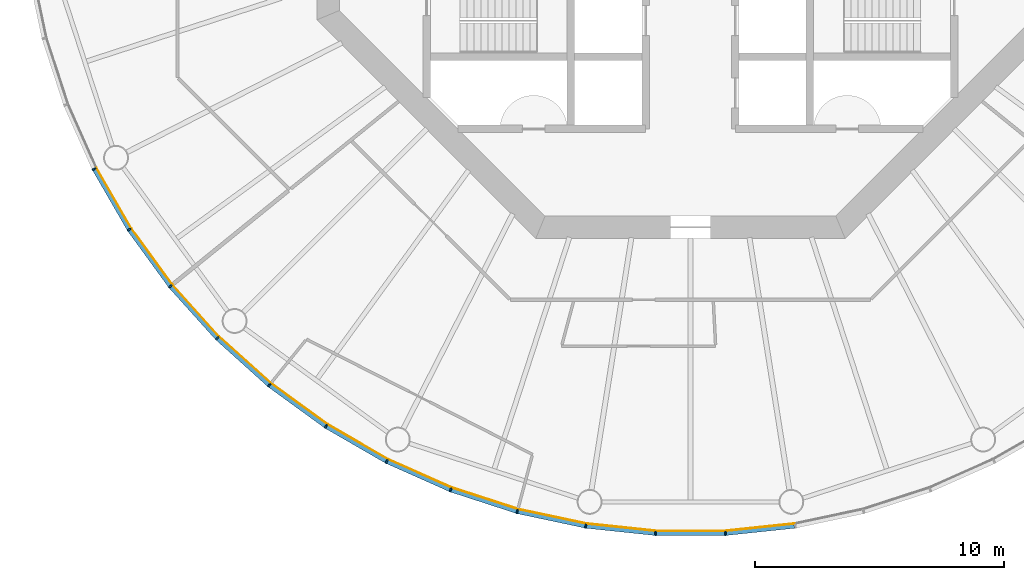
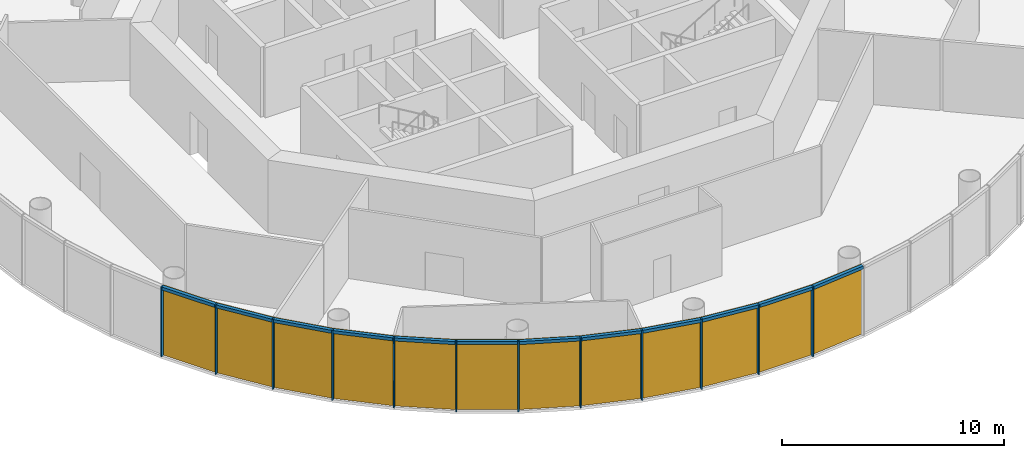
# One storey, part 6 of 12: 24 members, 4 curtain walls.
"""IFC4 building model written with IfcOpenShell, lengths in metres."""

from ifc_helpers import new_model, si_unit, direction, frame, origin, origin_2d, place, context, subcontext, project, spatial, polyline, rectangle, outline, extrude, material, layer, layer_set, material_profile, profile_set, type_object, element, aggregate, save


model = new_model("IFC4")

# Units and contexts
model_context = context("Model", 3, precision=1e-05, world=origin(), true_north=direction((0.0, 1.0)))
body_context = subcontext(model_context, "Body", "Model", "MODEL_VIEW")
ifc_project = project(units=[si_unit("LENGTHUNIT", "METRE"), si_unit("AREAUNIT", "SQUARE_METRE"), si_unit("VOLUMEUNIT", "CUBIC_METRE"), si_unit("PLANEANGLEUNIT", "RADIAN"), si_unit("MASSUNIT", "GRAM", prefix="KILO")], contexts=[model_context])

# Member
ifc_material_1 = material(Name="Anodised aluminium", Category="aluminium")
ifc_material_profile_1 = material_profile(ifc_material_1, rectangle(XDim=0.06005859375, YDim=0.169921875, at=origin_2d()), Name="Mullion 60 x 170 mm anodised aluminium")
ifc_profile_set_1 = profile_set([ifc_material_profile_1], Name="Anodised aluminium")
member_type_1 = type_object("IfcMemberType", Name="Mullion 60 x 170 mm anodised aluminium", PredefinedType="MULLION", material=ifc_profile_set_1)
site_placement = place(None, origin())
building_placement = place(site_placement, origin())
storey_placement = place(building_placement, frame((0.0, 0.0, 242.0)))
member_1_placement = place(storey_placement, frame((66.04541015625, 67.79443359375, 0.0), z_axis=(0.0, 0.0, 1.0), x_axis=(0.45399049974, -0.891006524188, 0.0)))
member_1 = element("IfcMember", 1, at=member_1_placement, type_object=member_type_1, Name="MULLION L55-33", PredefinedType="MULLION", context=body_context, shape_type="SweptSolid", body=[
    extrude(rectangle(XDim=0.06005859375, YDim=0.169921875, at=origin_2d()), origin(), (0.0, 0.0, 1.0), 3.85009765625),
])

member_2_placement = place(storey_placement, frame((67.452392578125, 65.357421875, 0.0), z_axis=(0.0, 0.0, 1.0), x_axis=(0.544639035015, -0.838670567945, 0.0)))
member_2 = element("IfcMember", 2, at=member_2_placement, type_object=member_type_1, Name="MULLION L55-34", PredefinedType="MULLION", context=body_context, shape_type="SweptSolid", body=[
    extrude(rectangle(XDim=0.06005859375, YDim=0.169921875, at=origin_2d()), origin(), (0.0, 0.0, 1.0), 3.85009765625),
])

member_3_placement = place(storey_placement, frame((69.1064453125, 63.080810546875, 0.0), z_axis=(0.0, 0.0, 1.0), x_axis=(0.62932039105, -0.777145961457, 0.0)))
member_3 = element("IfcMember", 3, at=member_3_placement, type_object=member_type_1, Name="MULLION L55-35", PredefinedType="MULLION", context=body_context, shape_type="SweptSolid", body=[
    extrude(rectangle(XDim=0.06005859375, YDim=0.169921875, at=origin_2d()), origin(), (0.0, 0.0, 1.0), 3.85009765625),
])

member_4_placement = place(storey_placement, frame((70.989501953125, 60.989501953125, 0.0), z_axis=(0.0, 0.0, 1.0), x_axis=(0.707106781187, -0.707106781187, 0.0)))
member_4 = element("IfcMember", 4, at=member_4_placement, type_object=member_type_1, Name="MULLION L55-36", PredefinedType="MULLION", context=body_context, shape_type="SweptSolid", body=[
    extrude(rectangle(XDim=0.06005859375, YDim=0.169921875, at=origin_2d()), origin(), (0.0, 0.0, 1.0), 3.85009765625),
])

member_5_placement = place(storey_placement, frame((73.080810546875, 59.1064453125, 0.0), z_axis=(0.0, 0.0, 1.0), x_axis=(0.777145961457, -0.62932039105, 0.0)))
member_5 = element("IfcMember", 5, at=member_5_placement, type_object=member_type_1, Name="MULLION L55-37", PredefinedType="MULLION", context=body_context, shape_type="SweptSolid", body=[
    extrude(rectangle(XDim=0.06005859375, YDim=0.169921875, at=origin_2d()), origin(), (0.0, 0.0, 1.0), 3.85009765625),
])

member_6_placement = place(storey_placement, frame((75.357421875, 57.452392578125, 0.0), z_axis=(0.0, 0.0, 1.0), x_axis=(0.838670567945, -0.544639035015, 0.0)))
member_6 = element("IfcMember", 6, at=member_6_placement, type_object=member_type_1, Name="MULLION L55-38", PredefinedType="MULLION", context=body_context, shape_type="SweptSolid", body=[
    extrude(rectangle(XDim=0.06005859375, YDim=0.169921875, at=origin_2d()), origin(), (0.0, 0.0, 1.0), 3.85009765625),
])

member_7_placement = place(storey_placement, frame((77.79443359375, 56.04541015625, 0.0), z_axis=(0.0, 0.0, 1.0), x_axis=(0.891006524188, -0.45399049974, 0.0)))
member_7 = element("IfcMember", 7, at=member_7_placement, type_object=member_type_1, Name="MULLION L55-39", PredefinedType="MULLION", context=body_context, shape_type="SweptSolid", body=[
    extrude(rectangle(XDim=0.06005859375, YDim=0.169921875, at=origin_2d()), origin(), (0.0, 0.0, 1.0), 3.85009765625),
])

member_8_placement = place(storey_placement, frame((80.365234375, 54.900634765625, 0.0), z_axis=(0.0, 0.0, 1.0), x_axis=(0.933580426497, -0.358367949545, 0.0)))
member_8 = element("IfcMember", 8, at=member_8_placement, type_object=member_type_1, Name="MULLION L55-40", PredefinedType="MULLION", context=body_context, shape_type="SweptSolid", body=[
    extrude(rectangle(XDim=0.06005859375, YDim=0.169921875, at=origin_2d()), origin(), (0.0, 0.0, 1.0), 3.85009765625),
])

member_9_placement = place(storey_placement, frame((83.041748046875, 54.031005859375, 0.0), z_axis=(0.0, 0.0, 1.0), x_axis=(0.965925826289, -0.258819045103, 0.0)))
member_9 = element("IfcMember", 9, at=member_9_placement, type_object=member_type_1, Name="MULLION L55-41", PredefinedType="MULLION", context=body_context, shape_type="SweptSolid", body=[
    extrude(rectangle(XDim=0.06005859375, YDim=0.169921875, at=origin_2d()), origin(), (0.0, 0.0, 1.0), 3.85009765625),
])

member_10_placement = place(storey_placement, frame((85.794189453125, 53.446044921875, 0.0), z_axis=(0.0, 0.0, 1.0), x_axis=(0.987688340595, -0.15643446504, 0.0)))
member_10 = element("IfcMember", 10, at=member_10_placement, type_object=member_type_1, Name="MULLION L55-42", PredefinedType="MULLION", context=body_context, shape_type="SweptSolid", body=[
    extrude(rectangle(XDim=0.06005859375, YDim=0.169921875, at=origin_2d()), origin(), (0.0, 0.0, 1.0), 3.85009765625),
])

member_11_placement = place(storey_placement, frame((88.593017578125, 53.15185546875, 0.0), z_axis=(0.0, 0.0, 1.0), x_axis=(0.998629534755, -0.052335956243, 0.0)))
member_11 = element("IfcMember", 11, at=member_11_placement, type_object=member_type_1, Name="MULLION L55-43", PredefinedType="MULLION", context=body_context, shape_type="SweptSolid", body=[
    extrude(rectangle(XDim=0.06005859375, YDim=0.169921875, at=origin_2d()), origin(), (0.0, 0.0, 1.0), 3.85009765625),
])

member_12_placement = place(storey_placement, frame((91.406982421875, 53.15185546875, 0.0), z_axis=(0.0, 0.0, 1.0), x_axis=(0.998629534755, 0.052335956243, 0.0)))
member_12 = element("IfcMember", 12, at=member_12_placement, type_object=member_type_1, Name="MULLION L55-44", PredefinedType="MULLION", context=body_context, shape_type="SweptSolid", body=[
    extrude(rectangle(XDim=0.06005859375, YDim=0.169921875, at=origin_2d()), origin(), (0.0, 0.0, 1.0), 3.85009765625),
])

ifc_material_2 = material(Name="Anodised aluminium", Category="aluminium")
ifc_material_profile_2 = material_profile(ifc_material_2, rectangle(XDim=0.169921875, YDim=0.1650390625, at=origin_2d()), Name="Transom 165 x 170 mm anodised aluminium")
ifc_profile_set_2 = profile_set([ifc_material_profile_2], Name="Anodised aluminium")
member_type_2 = type_object("IfcMemberType", Name="Transom 165 x 170 mm anodised aluminium", PredefinedType="USERDEFINED", material=ifc_profile_set_2)
member_13_placement = place(storey_placement, frame((66.0625, 67.7646484375, 3.767578125), z_axis=(0.49998419723, -0.866034527326, 0.0), x_axis=(0.866034527326, 0.49998419723, 0.0)))
member_13 = element("IfcMember", 13, at=member_13_placement, type_object=member_type_2, Name="TRANSOM L55-33", ObjectType="TRANSOM", PredefinedType="USERDEFINED", context=body_context, shape_type="SweptSolid", body=[
    extrude(rectangle(XDim=0.169921875, YDim=0.1650390625, at=origin_2d()), origin(), (0.0, 0.0, 1.0), 2.7451171875),
])

member_14_placement = place(storey_placement, frame((67.472412109375, 65.329345703125, 3.767578125), z_axis=(0.587864947412, -0.808959086484, 0.0), x_axis=(0.808959086484, 0.587864947412, 0.0)))
member_14 = element("IfcMember", 14, at=member_14_placement, type_object=member_type_2, Name="TRANSOM L55-34", ObjectType="TRANSOM", PredefinedType="USERDEFINED", context=body_context, shape_type="SweptSolid", body=[
    extrude(rectangle(XDim=0.169921875, YDim=0.1650390625, at=origin_2d()), origin(), (0.0, 0.0, 1.0), 2.7451171875),
])

member_15_placement = place(storey_placement, frame((69.12939453125, 63.054931640625, 3.767578125), z_axis=(0.669141598561, -0.743134927907, 0.0), x_axis=(0.743134927907, 0.669141598561, 0.0)))
member_15 = element("IfcMember", 15, at=member_15_placement, type_object=member_type_2, Name="TRANSOM L55-35", ObjectType="TRANSOM", PredefinedType="USERDEFINED", context=body_context, shape_type="SweptSolid", body=[
    extrude(rectangle(XDim=0.169921875, YDim=0.1650390625, at=origin_2d()), origin(), (0.0, 0.0, 1.0), 2.7451171875),
])

member_16_placement = place(storey_placement, frame((71.014892578125, 60.96630859375, 3.767578125), z_axis=(0.743134927907, -0.669141598561, 0.0), x_axis=(0.669141598561, 0.743134927907, 0.0)))
member_16 = element("IfcMember", 16, at=member_16_placement, type_object=member_type_2, Name="TRANSOM L55-36", ObjectType="TRANSOM", PredefinedType="USERDEFINED", context=body_context, shape_type="SweptSolid", body=[
    extrude(rectangle(XDim=0.169921875, YDim=0.1650390625, at=origin_2d()), origin(), (0.0, 0.0, 1.0), 2.7451171875),
])

member_17_placement = place(storey_placement, frame((73.108642578125, 59.086181640625, 3.767578125), z_axis=(0.808959086484, -0.587864947412, 0.0), x_axis=(0.587864947412, 0.808959086484, 0.0)))
member_17 = element("IfcMember", 17, at=member_17_placement, type_object=member_type_2, Name="TRANSOM L55-37", ObjectType="TRANSOM", PredefinedType="USERDEFINED", context=body_context, shape_type="SweptSolid", body=[
    extrude(rectangle(XDim=0.169921875, YDim=0.1650390625, at=origin_2d()), origin(), (0.0, 0.0, 1.0), 2.7451171875),
])

member_18_placement = place(storey_placement, frame((75.38720703125, 57.43505859375, 3.767578125), z_axis=(0.866034527326, -0.49998419723, 0.0), x_axis=(0.49998419723, 0.866034527326, 0.0)))
member_18 = element("IfcMember", 18, at=member_18_placement, type_object=member_type_2, Name="TRANSOM L55-38", ObjectType="TRANSOM", PredefinedType="USERDEFINED", context=body_context, shape_type="SweptSolid", body=[
    extrude(rectangle(XDim=0.169921875, YDim=0.1650390625, at=origin_2d()), origin(), (0.0, 0.0, 1.0), 2.7451171875),
])

member_19_placement = place(storey_placement, frame((77.825927734375, 56.03125, 3.767578125), z_axis=(0.913525267704, -0.406781987391, 0.0), x_axis=(0.406781987391, 0.913525267704, 0.0)))
member_19 = element("IfcMember", 19, at=member_19_placement, type_object=member_type_2, Name="TRANSOM L55-39", ObjectType="TRANSOM", PredefinedType="USERDEFINED", context=body_context, shape_type="SweptSolid", body=[
    extrude(rectangle(XDim=0.169921875, YDim=0.1650390625, at=origin_2d()), origin(), (0.0, 0.0, 1.0), 2.7451171875),
])

member_20_placement = place(storey_placement, frame((80.39794921875, 54.889892578125, 3.767578125), z_axis=(0.951048445774, -0.309041831781, 0.0), x_axis=(0.309041831781, 0.951048445774, 0.0)))
member_20 = element("IfcMember", 20, at=member_20_placement, type_object=member_type_2, Name="TRANSOM L55-40", ObjectType="TRANSOM", PredefinedType="USERDEFINED", context=body_context, shape_type="SweptSolid", body=[
    extrude(rectangle(XDim=0.169921875, YDim=0.1650390625, at=origin_2d()), origin(), (0.0, 0.0, 1.0), 2.7451171875),
])

member_21_placement = place(storey_placement, frame((83.075439453125, 54.02392578125, 3.767578125), z_axis=(0.97814212115, -0.207937468562, 0.0), x_axis=(0.207937468562, 0.97814212115, 0.0)))
member_21 = element("IfcMember", 21, at=member_21_placement, type_object=member_type_2, Name="TRANSOM L55-41", ObjectType="TRANSOM", PredefinedType="USERDEFINED", context=body_context, shape_type="SweptSolid", body=[
    extrude(rectangle(XDim=0.169921875, YDim=0.1650390625, at=origin_2d()), origin(), (0.0, 0.0, 1.0), 2.7451171875),
])

member_22_placement = place(storey_placement, frame((85.82861328125, 53.4423828125, 3.767578125), z_axis=(0.994515195344, -0.104592190102, 0.0), x_axis=(0.104592190102, 0.994515195344, 0.0)))
member_22 = element("IfcMember", 22, at=member_22_placement, type_object=member_type_2, Name="TRANSOM L55-42", ObjectType="TRANSOM", PredefinedType="USERDEFINED", context=body_context, shape_type="SweptSolid", body=[
    extrude(rectangle(XDim=0.169921875, YDim=0.1650390625, at=origin_2d()), origin(), (0.0, 0.0, 1.0), 2.7451171875),
])

member_23_placement = place(storey_placement, frame((88.62744140625, 53.151611328125, 3.767578125), z_axis=(1.0, 0.0, 0.0), x_axis=(0.0, 1.0, 0.0)))
member_23 = element("IfcMember", 23, at=member_23_placement, type_object=member_type_2, Name="TRANSOM L55-43", ObjectType="TRANSOM", PredefinedType="USERDEFINED", context=body_context, shape_type="SweptSolid", body=[
    extrude(rectangle(XDim=0.169921875, YDim=0.1650390625, at=origin_2d()), origin(), (0.0, 0.0, 1.0), 2.7451171875),
])

member_24_placement = place(storey_placement, frame((91.44140625, 53.1552734375, 3.767578125), z_axis=(0.994515195344, 0.104592190102, 0.0), x_axis=(-0.104592190102, 0.994515195344, 0.0)))
member_24 = element("IfcMember", 24, at=member_24_placement, type_object=member_type_2, Name="TRANSOM L55-44", ObjectType="TRANSOM", PredefinedType="USERDEFINED", context=body_context, shape_type="SweptSolid", body=[
    extrude(rectangle(XDim=0.169921875, YDim=0.1650390625, at=origin_2d()), origin(), (0.0, 0.0, 1.0), 2.7451171875),
])

# Site, building, storey
site = spatial("IfcSite", under=ifc_project, at=site_placement, CompositionType="ELEMENT")
building = spatial("IfcBuilding", under=site, at=building_placement, Name="Entoto Ring Tower", CompositionType="ELEMENT")
storey = spatial("IfcBuildingStorey", under=building, at=storey_placement, Name="L55", CompositionType="ELEMENT", Elevation=242.0)

# Curtain wall
ifc_material_3 = material(Name="Clear low-iron glass", Category="glass")
ifc_layer = layer(ifc_material_3, 0.031982421875)
ifc_layer_set = layer_set([ifc_layer], Name="Clear low-iron glass")
curtain_wall_type = type_object("IfcCurtainWallType", Name="Curtain wall system CW4 glazing 32 mm", PredefinedType="NOTDEFINED", material=ifc_layer_set)
curtain_wall_1_placement = place(storey_placement, origin())
curtain_wall_1 = element("IfcCurtainWall", 25, at=curtain_wall_1_placement, inside=storey, type_object=curtain_wall_type, Name="CW4 L55-12", PredefinedType="NOTDEFINED", context=body_context, shape_type="SweptSolid", body=[
    extrude(outline(polyline([(66.12109375, 67.8330078125), (67.523681640625, 65.403564453125), (69.172607421875, 63.13427734375), (71.049560546875, 61.049560546875), (71.072265625, 61.072265625), (69.197509765625, 63.154296875), (67.550537109375, 65.421142578125), (66.149658203125, 67.84765625), (66.12109375, 67.8330078125)])), origin(), (0.0, 0.0, 1.0), 3.85009765625),
])

aggregate(curtain_wall_1, [member_1, member_2, member_3, member_13, member_14, member_15])

curtain_wall_2_placement = place(storey_placement, origin())
curtain_wall_2 = element("IfcCurtainWall", 26, at=curtain_wall_2_placement, inside=storey, type_object=curtain_wall_type, Name="CW4 L55-13", PredefinedType="NOTDEFINED", context=body_context, shape_type="SweptSolid", body=[
    extrude(outline(polyline([(71.049560546875, 61.049560546875), (73.13427734375, 59.172607421875), (75.403564453125, 57.523681640625), (77.8330078125, 56.12109375), (77.84765625, 56.149658203125), (75.421142578125, 57.550537109375), (73.154296875, 59.197509765625), (71.072265625, 61.072265625), (71.049560546875, 61.049560546875)])), origin(), (0.0, 0.0, 1.0), 3.85009765625),
])

aggregate(curtain_wall_2, [member_4, member_5, member_6, member_16, member_17, member_18])

curtain_wall_3_placement = place(storey_placement, origin())
curtain_wall_3 = element("IfcCurtainWall", 27, at=curtain_wall_3_placement, inside=storey, type_object=curtain_wall_type, Name="CW4 L55-14", PredefinedType="NOTDEFINED", context=body_context, shape_type="SweptSolid", body=[
    extrude(outline(polyline([(77.8330078125, 56.12109375), (80.395751953125, 54.97998046875), (83.063720703125, 54.11328125), (85.8076171875, 53.530029296875), (85.8125, 53.5615234375), (83.072021484375, 54.14404296875), (80.4072265625, 55.010009765625), (77.84765625, 56.149658203125), (77.8330078125, 56.12109375)])), origin(), (0.0, 0.0, 1.0), 3.85009765625),
])

aggregate(curtain_wall_3, [member_7, member_8, member_9, member_19, member_20, member_21])

curtain_wall_4_placement = place(storey_placement, origin())
curtain_wall_4 = element("IfcCurtainWall", 28, at=curtain_wall_4_placement, inside=storey, type_object=curtain_wall_type, Name="CW4 L55-15", PredefinedType="NOTDEFINED", context=body_context, shape_type="SweptSolid", body=[
    extrude(outline(polyline([(85.8076171875, 53.530029296875), (88.597412109375, 53.23681640625), (91.402587890625, 53.23681640625), (94.1923828125, 53.530029296875), (94.1875, 53.5615234375), (91.40087890625, 53.268798828125), (88.59912109375, 53.268798828125), (85.8125, 53.5615234375), (85.8076171875, 53.530029296875)])), origin(), (0.0, 0.0, 1.0), 3.85009765625),
])

aggregate(curtain_wall_4, [member_10, member_11, member_12, member_22, member_23, member_24])

save(model, "model.ifc")
